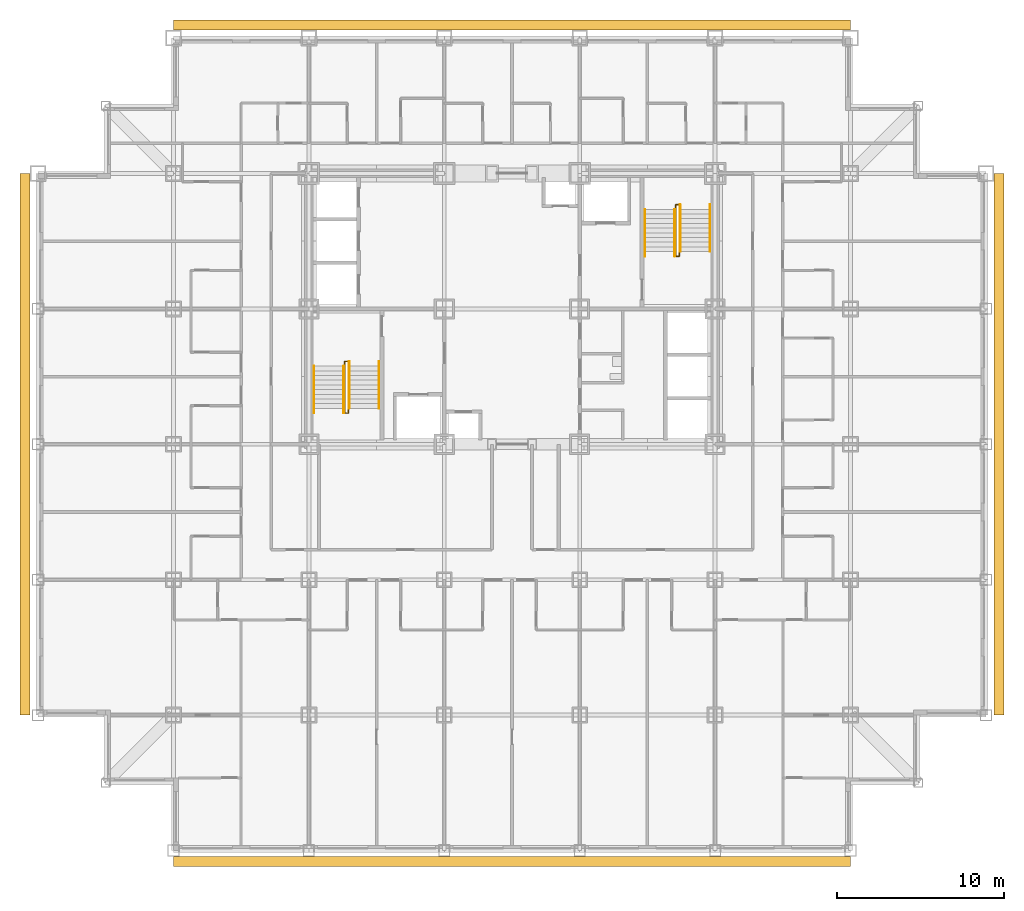
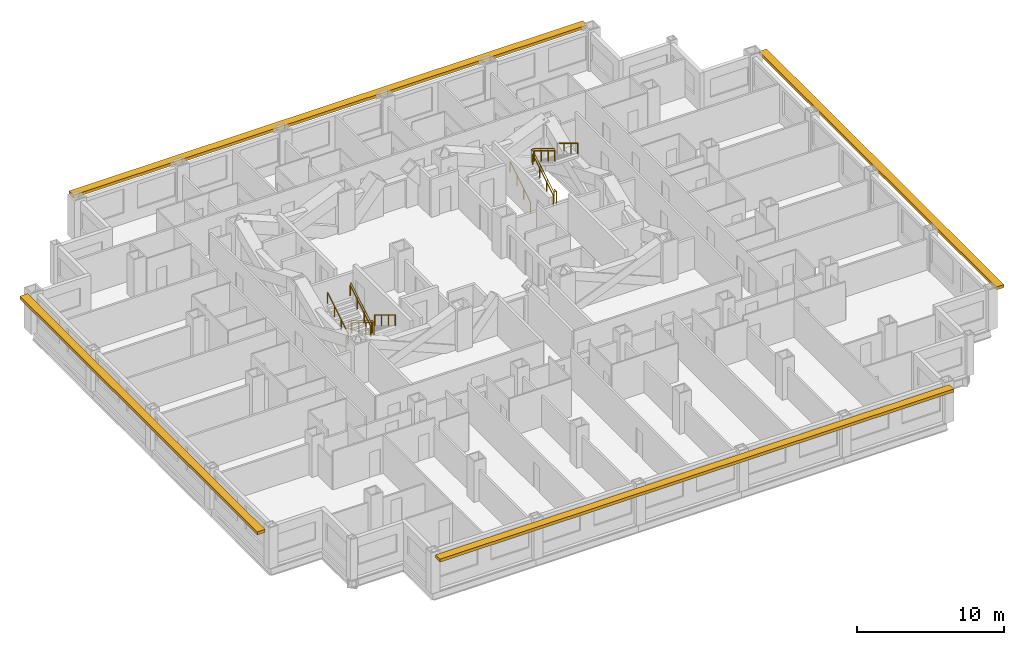
# One storey, part 11 of 12: 10 railings, 4 shading devices.
"""IFC4 building model written with IfcOpenShell, lengths in metres."""

from ifc_helpers import new_model, si_unit, direction, frame, origin, origin_2d, place, context, subcontext, project, spatial, rectangle, circle, extrude, material, type_object, element, save


model = new_model("IFC4")

# Units and contexts
model_context = context("Model", 3, precision=1e-05, world=origin(), true_north=direction((0.0, 1.0)))
body_context = subcontext(model_context, "Body", "Model", "MODEL_VIEW")
ifc_project = project(units=[si_unit("LENGTHUNIT", "METRE"), si_unit("AREAUNIT", "SQUARE_METRE"), si_unit("VOLUMEUNIT", "CUBIC_METRE"), si_unit("PLANEANGLEUNIT", "RADIAN"), si_unit("MASSUNIT", "GRAM", prefix="KILO")], contexts=[model_context])

# Site, building, storey
site_placement = place(None, origin())
site = spatial("IfcSite", under=ifc_project, at=site_placement, CompositionType="ELEMENT")
building_placement = place(site_placement, origin())
building = spatial("IfcBuilding", under=site, at=building_placement, Name="Kopane Lantern Tower", CompositionType="ELEMENT")
storey_placement = place(building_placement, frame((0.0, 0.0, 39.800048828125)))
storey = spatial("IfcBuildingStorey", under=building, at=storey_placement, Name="L08", CompositionType="ELEMENT", Elevation=39.800048828125)

# Railings
ifc_material_1 = material(Name="Steel", Category="steel")
railing_type_1 = type_object("IfcRailingType", Name="STAIR GUARD 1100", PredefinedType="GUARDRAIL", material=ifc_material_1)
railing_1_placement = place(storey_placement, frame((18.35009765625, 28.969970703125, 0.0)))
element("IfcRailing", 1, at=railing_1_placement, inside=storey, type_object=railing_type_1, Name="ST1 well guard L08", PredefinedType="GUARDRAIL", context=body_context, shape_type="SweptSolid", body=[
    extrude(circle(Radius=0.02392578125, at=origin_2d()), frame((0.0, 0.0, 1.076171875), z_axis=(0.0, 1.0, 0.0), x_axis=(-1.0, 0.0, 0.0)), (0.0, 0.0, 1.0), 0.280029296875),
    extrude(circle(Radius=0.02392578125, at=origin_2d()), frame((0.0, 0.280029296875, 1.076171875), z_axis=(1.0, 0.0, 0.0), x_axis=(0.0, 1.0, 0.0)), (0.0, 0.0, 1.0), 0.199951171875),
    extrude(circle(Radius=0.02392578125, at=origin_2d()), frame((0.199951171875, 0.280029296875, 1.076171875), z_axis=(0.0, -0.854798142509, 0.518960630071), x_axis=(1.0, 0.0, 0.0)), (0.0, 0.0, 1.0), 3.275634765625),
    extrude(circle(Radius=0.02392578125, at=origin_2d()), frame((0.199951171875, -2.52001953125, 2.77587890625), z_axis=(0.0, -1.0, 0.0), x_axis=(1.0, 0.0, 0.0)), (0.0, 0.0, 1.0), 0.280029296875),
    extrude(circle(Radius=0.02392578125, at=origin_2d()), frame((0.199951171875, -2.800048828125, 2.77587890625), z_axis=(-1.0, 0.0, 0.0), x_axis=(0.0, -1.0, 0.0)), (0.0, 0.0, 1.0), 0.199951171875),
    extrude(circle(Radius=0.02392578125, at=origin_2d()), frame((0.0, -2.800048828125, 2.77587890625), z_axis=(0.0, 0.854798142509, 0.518960630071), x_axis=(-1.0, 0.0, 0.0)), (0.0, 0.0, 1.0), 3.275634765625),
    extrude(circle(Radius=0.02099609375, at=origin_2d()), origin(), (0.0, 0.0, 1.0), 1.052001953125),
    extrude(circle(Radius=0.02099609375, at=origin_2d()), frame((0.0, 0.280029296875, 0.0)), (0.0, 0.0, 1.0), 1.052001953125),
    extrude(circle(Radius=0.02099609375, at=origin_2d()), frame((0.199951171875, 0.280029296875, 0.0)), (0.0, 0.0, 1.0), 1.052001953125),
    extrude(circle(Radius=0.02099609375, at=origin_2d()), frame((0.199951171875, -0.6533203125, 0.566650390625)), (0.0, 0.0, 1.0), 1.052001953125),
    extrude(circle(Radius=0.02099609375, at=origin_2d()), frame((0.199951171875, -1.586669921875, 1.13330078125)), (0.0, 0.0, 1.0), 1.052001953125),
    extrude(circle(Radius=0.02099609375, at=origin_2d()), frame((0.199951171875, -2.52001953125, 1.699951171875)), (0.0, 0.0, 1.0), 1.052001953125),
    extrude(circle(Radius=0.02099609375, at=origin_2d()), frame((0.199951171875, -2.800048828125, 1.699951171875)), (0.0, 0.0, 1.0), 1.052001953125),
    extrude(circle(Radius=0.02099609375, at=origin_2d()), frame((0.0, -2.800048828125, 1.699951171875)), (0.0, 0.0, 1.0), 1.052001953125),
    extrude(circle(Radius=0.02099609375, at=origin_2d()), frame((0.0, -1.86669921875, 2.2666015625)), (0.0, 0.0, 1.0), 1.052001953125),
    extrude(circle(Radius=0.02099609375, at=origin_2d()), frame((0.0, -0.933349609375, 2.833251953125)), (0.0, 0.0, 1.0), 1.052001953125),
    extrude(circle(Radius=0.02099609375, at=origin_2d()), frame((0.0, 0.0, 3.39990234375)), (0.0, 0.0, 1.0), 1.052001953125),
])
railing_2_placement = place(storey_placement, frame((38.35009765625, 35.830078125, 0.0)))
element("IfcRailing", 2, at=railing_2_placement, inside=storey, type_object=railing_type_1, Name="ST2 well guard L08", PredefinedType="GUARDRAIL", context=body_context, shape_type="SweptSolid", body=[
    extrude(circle(Radius=0.02392578125, at=origin_2d()), frame((0.0, 0.0, 1.076171875), z_axis=(0.0, -1.0, 0.0), x_axis=(1.0, 0.0, 0.0)), (0.0, 0.0, 1.0), 0.280029296875),
    extrude(circle(Radius=0.02392578125, at=origin_2d()), frame((0.0, -0.280029296875, 1.076171875), z_axis=(-1.0, 0.0, 0.0), x_axis=(0.0, -1.0, 0.0)), (0.0, 0.0, 1.0), 0.2001953125),
    extrude(circle(Radius=0.02392578125, at=origin_2d()), frame((-0.2001953125, -0.280029296875, 1.076171875), z_axis=(0.0, 0.854798142509, 0.518960630071), x_axis=(-1.0, 0.0, 0.0)), (0.0, 0.0, 1.0), 3.275634765625),
    extrude(circle(Radius=0.02392578125, at=origin_2d()), frame((-0.2001953125, 2.52001953125, 2.77587890625), z_axis=(0.0, 1.0, 0.0), x_axis=(-1.0, 0.0, 0.0)), (0.0, 0.0, 1.0), 0.27978515625),
    extrude(circle(Radius=0.02392578125, at=origin_2d()), frame((-0.2001953125, 2.7998046875, 2.77587890625), z_axis=(1.0, 0.0, 0.0), x_axis=(0.0, 1.0, 0.0)), (0.0, 0.0, 1.0), 0.2001953125),
    extrude(circle(Radius=0.02392578125, at=origin_2d()), frame((0.0, 2.7998046875, 2.77587890625), z_axis=(0.0, -0.854778067842, 0.518993694313), x_axis=(1.0, 0.0, 0.0)), (0.0, 0.0, 1.0), 3.275390625),
    extrude(circle(Radius=0.02099609375, at=origin_2d()), origin(), (0.0, 0.0, 1.0), 1.052001953125),
    extrude(circle(Radius=0.02099609375, at=origin_2d()), frame((0.0, -0.280029296875, 0.0)), (0.0, 0.0, 1.0), 1.052001953125),
    extrude(circle(Radius=0.02099609375, at=origin_2d()), frame((-0.2001953125, -0.280029296875, 0.0)), (0.0, 0.0, 1.0), 1.052001953125),
    extrude(circle(Radius=0.02099609375, at=origin_2d()), frame((-0.2001953125, 0.6533203125, 0.566650390625)), (0.0, 0.0, 1.0), 1.052001953125),
    extrude(circle(Radius=0.02099609375, at=origin_2d()), frame((-0.2001953125, 1.586669921875, 1.13330078125)), (0.0, 0.0, 1.0), 1.052001953125),
    extrude(circle(Radius=0.02099609375, at=origin_2d()), frame((-0.2001953125, 2.52001953125, 1.699951171875)), (0.0, 0.0, 1.0), 1.052001953125),
    extrude(circle(Radius=0.02099609375, at=origin_2d()), frame((-0.2001953125, 2.7998046875, 1.699951171875)), (0.0, 0.0, 1.0), 1.052001953125),
    extrude(circle(Radius=0.02099609375, at=origin_2d()), frame((0.0, 2.7998046875, 1.699951171875)), (0.0, 0.0, 1.0), 1.052001953125),
    extrude(circle(Radius=0.02099609375, at=origin_2d()), frame((0.0, 1.866455078125, 2.2666015625)), (0.0, 0.0, 1.0), 1.052001953125),
    extrude(circle(Radius=0.02099609375, at=origin_2d()), frame((0.0, 0.933349609375, 2.833251953125)), (0.0, 0.0, 1.0), 1.052001953125),
    extrude(circle(Radius=0.02099609375, at=origin_2d()), frame((0.0, 0.0, 3.39990234375)), (0.0, 0.0, 1.0), 1.052001953125),
])
ifc_material_2 = material(Name="Steel", Category="steel")
railing_type_2 = type_object("IfcRailingType", Name="STAIR HANDRAIL 900", PredefinedType="HANDRAIL", material=ifc_material_2)
for number, where, name in (
    (3, (20.389892578125, 29.25, 0.0), "ST1 handrail L08 flight 1"),
    (4, (18.610107421875, 29.25, 0.0), "ST1 handrail L08 flight 1"),
):
    element("IfcRailing", number, at=place(storey_placement, frame(where)), inside=storey, type_object=railing_type_2, Name=name, PredefinedType="HANDRAIL", context=body_context, shape_type="SweptSolid", body=[
        extrude(circle(Radius=0.02392578125, at=origin_2d()), frame((0.0, 0.0, 0.8759765625), z_axis=(0.0, -0.854798142509, 0.518960630071), x_axis=(1.0, 0.0, 0.0)), (0.0, 0.0, 1.0), 3.275634765625),
        extrude(circle(Radius=0.02099609375, at=origin_2d()), origin(), (0.0, 0.0, 1.0), 0.851806640625),
        extrude(circle(Radius=0.02099609375, at=origin_2d()), frame((0.0, -0.933349609375, 0.566650390625)), (0.0, 0.0, 1.0), 0.851806640625),
        extrude(circle(Radius=0.02099609375, at=origin_2d()), frame((0.0, -1.86669921875, 1.13330078125)), (0.0, 0.0, 1.0), 0.851806640625),
        extrude(circle(Radius=0.02099609375, at=origin_2d()), frame((0.0, -2.800048828125, 1.699951171875)), (0.0, 0.0, 1.0), 0.851806640625),
    ])
for number, where, name in (
    (5, (16.510009765625, 26.169921875, 1.699951171875), "ST1 handrail L08 flight 2"),
    (6, (18.2900390625, 26.169921875, 1.699951171875), "ST1 handrail L08 flight 2"),
    (7, (36.31005859375, 35.550048828125, 0.0), "ST2 handrail L08 flight 1"),
    (8, (38.090087890625, 35.550048828125, 0.0), "ST2 handrail L08 flight 1"),
):
    element("IfcRailing", number, at=place(storey_placement, frame(where)), inside=storey, type_object=railing_type_2, Name=name, PredefinedType="HANDRAIL", context=body_context, shape_type="SweptSolid", body=[
        extrude(circle(Radius=0.02392578125, at=origin_2d()), frame((0.0, 0.0, 0.8759765625), z_axis=(0.0, 0.854798142509, 0.518960630071), x_axis=(-1.0, 0.0, 0.0)), (0.0, 0.0, 1.0), 3.275634765625),
        extrude(circle(Radius=0.02099609375, at=origin_2d()), origin(), (0.0, 0.0, 1.0), 0.851806640625),
        extrude(circle(Radius=0.02099609375, at=origin_2d()), frame((0.0, 0.933349609375, 0.566650390625)), (0.0, 0.0, 1.0), 0.851806640625),
        extrude(circle(Radius=0.02099609375, at=origin_2d()), frame((0.0, 1.86669921875, 1.13330078125)), (0.0, 0.0, 1.0), 0.851806640625),
        extrude(circle(Radius=0.02099609375, at=origin_2d()), frame((0.0, 2.800048828125, 1.699951171875)), (0.0, 0.0, 1.0), 0.851806640625),
    ])
for number, where, name in (
    (9, (40.18994140625, 38.6298828125, 1.699951171875), "ST2 handrail L08 flight 2"),
    (10, (38.409912109375, 38.6298828125, 1.699951171875), "ST2 handrail L08 flight 2"),
):
    element("IfcRailing", number, at=place(storey_placement, frame(where)), inside=storey, type_object=railing_type_2, Name=name, PredefinedType="HANDRAIL", context=body_context, shape_type="SweptSolid", body=[
        extrude(circle(Radius=0.02392578125, at=origin_2d()), frame((0.0, 0.0, 0.8759765625), z_axis=(0.0, -0.854778067842, 0.518993694313), x_axis=(1.0, 0.0, 0.0)), (0.0, 0.0, 1.0), 3.275390625),
        extrude(circle(Radius=0.02099609375, at=origin_2d()), origin(), (0.0, 0.0, 1.0), 0.851806640625),
        extrude(circle(Radius=0.02099609375, at=origin_2d()), frame((0.0, -0.933349609375, 0.566650390625)), (0.0, 0.0, 1.0), 0.851806640625),
        extrude(circle(Radius=0.02099609375, at=origin_2d()), frame((0.0, -1.866455078125, 1.13330078125)), (0.0, 0.0, 1.0), 0.851806640625),
        extrude(circle(Radius=0.02099609375, at=origin_2d()), frame((0.0, -2.7998046875, 1.699951171875)), (0.0, 0.0, 1.0), 0.851806640625),
    ])

# Shading devices
ifc_material_3 = material(Name="Terracotta rainscreen on light steel framing", Category="masonry")
shading_device_type = type_object("IfcShadingDeviceType", Name="SUNSHADE BAND SB1 600 TERRACOTTA", PredefinedType="USERDEFINED", material=ifc_material_3)
shading_device_1_placement = place(storey_placement, frame((28.35009765625, -0.64990234375, 2.89990234375), z_axis=(0.0, 0.0, 1.0), x_axis=(1.0, 0.0, 0.0)))
element("IfcShadingDevice", 11, at=shading_device_1_placement, inside=storey, type_object=shading_device_type, Name="Sunshade band S L08", ObjectType="SUNSHADE BAND", PredefinedType="USERDEFINED", context=body_context, shape_type="SweptSolid", body=[
    extrude(rectangle(XDim=40.5, YDim=0.60009765625, at=origin_2d()), origin(), (0.0, 0.0, 1.0), 0.25),
])
shading_device_2_placement = place(storey_placement, frame((57.47509765625, 24.300048828125, 2.89990234375), z_axis=(0.0, 0.0, 1.0), x_axis=(0.0, 1.0, 0.0)))
element("IfcShadingDevice", 12, at=shading_device_2_placement, inside=storey, type_object=shading_device_type, Name="Sunshade band E L08", ObjectType="SUNSHADE BAND", PredefinedType="USERDEFINED", context=body_context, shape_type="SweptSolid", body=[
    extrude(rectangle(XDim=32.39990234375, YDim=0.60009765625, at=origin_2d()), origin(), (0.0, 0.0, 1.0), 0.25),
])
shading_device_3_placement = place(storey_placement, frame((28.35009765625, 49.375, 2.89990234375), z_axis=(0.0, 0.0, 1.0), x_axis=(-1.0, 0.0, 0.0)))
element("IfcShadingDevice", 13, at=shading_device_3_placement, inside=storey, type_object=shading_device_type, Name="Sunshade band N L08", ObjectType="SUNSHADE BAND", PredefinedType="USERDEFINED", context=body_context, shape_type="SweptSolid", body=[
    extrude(rectangle(XDim=40.5, YDim=0.60009765625, at=origin_2d()), origin(), (0.0, 0.0, 1.0), 0.25),
])
shading_device_4_placement = place(storey_placement, frame((-0.77490234375, 24.300048828125, 2.89990234375), z_axis=(0.0, 0.0, 1.0), x_axis=(0.0, -1.0, 0.0)))
element("IfcShadingDevice", 14, at=shading_device_4_placement, inside=storey, type_object=shading_device_type, Name="Sunshade band W L08", ObjectType="SUNSHADE BAND", PredefinedType="USERDEFINED", context=body_context, shape_type="SweptSolid", body=[
    extrude(rectangle(XDim=32.39990234375, YDim=0.60009765625, at=origin_2d()), origin(), (0.0, 0.0, 1.0), 0.25),
])

save(model, "model.ifc")
